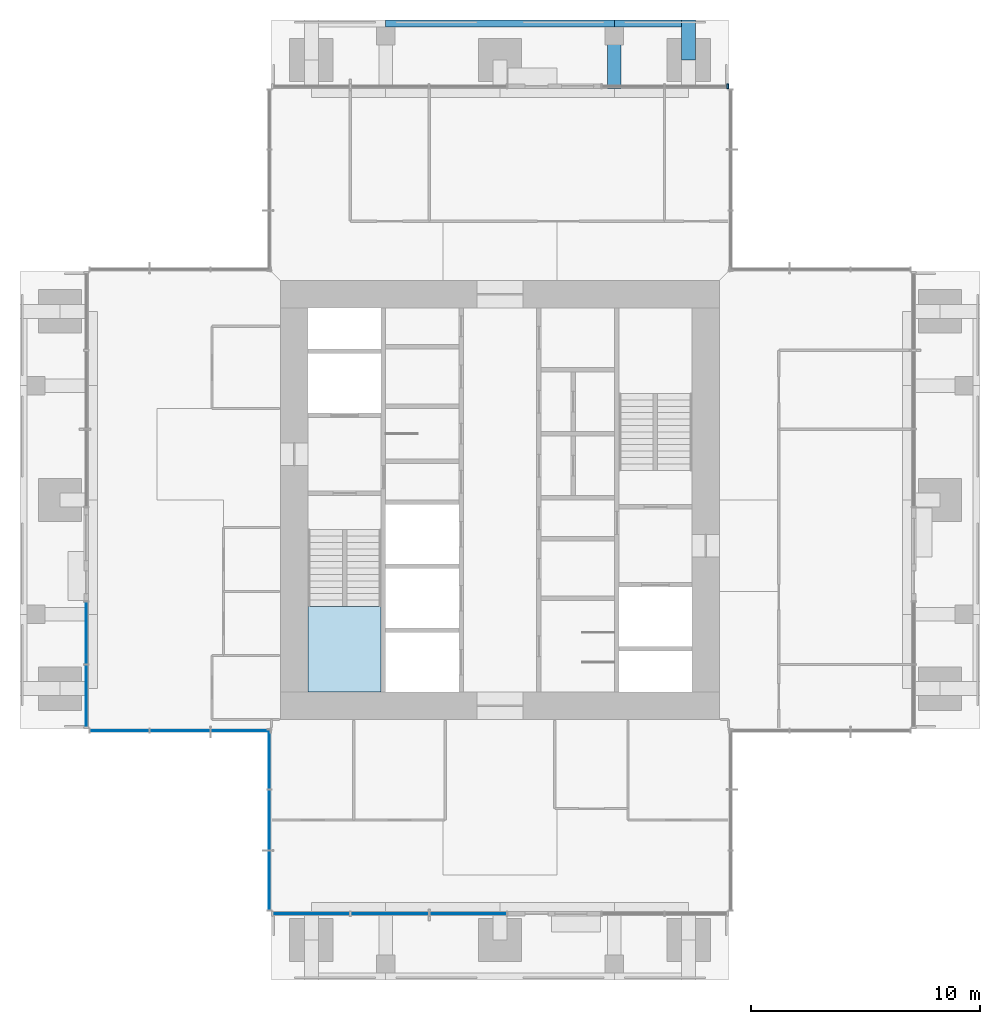
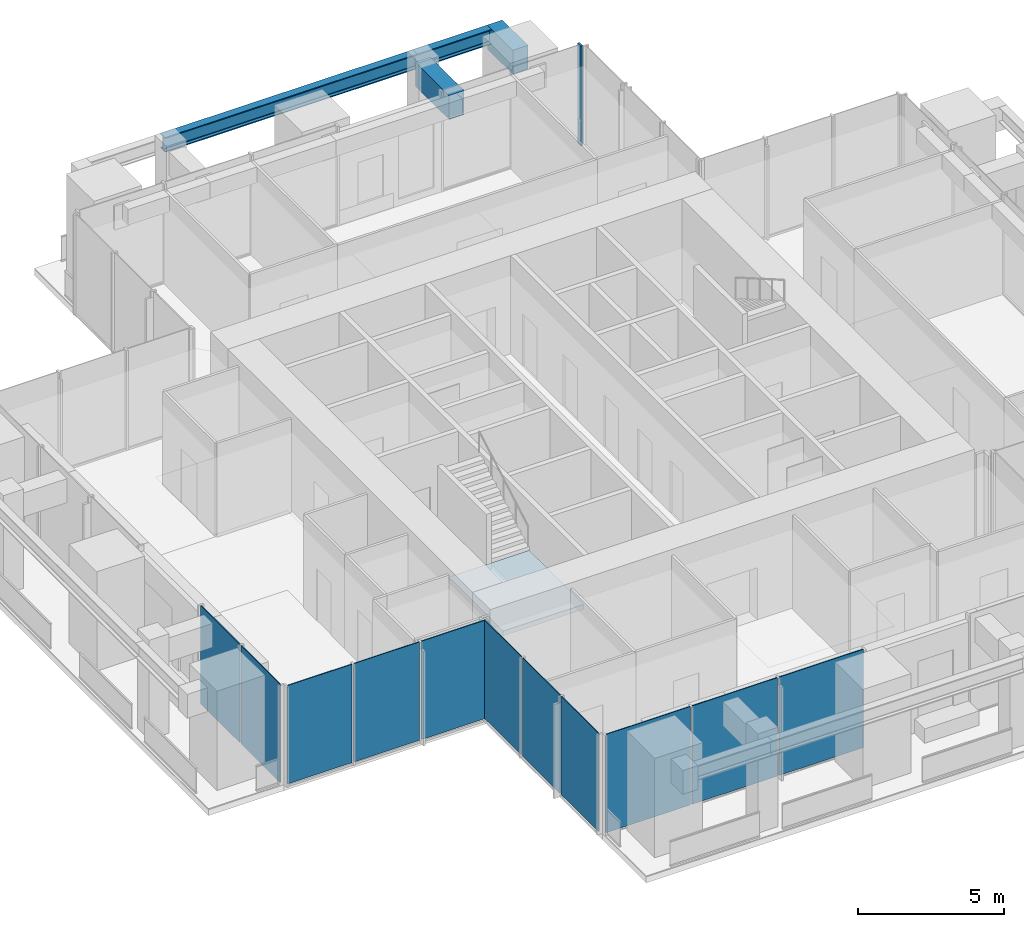
# One storey, part 5 of 12: 11 plates, 4 beams, 1 member, 1 slab, 6 elements without a shape of their own.
"""IFC4 building model written with IfcOpenShell, lengths in metres."""

import ifcopenshell
import ifcopenshell.guid

model = None  # the IFC model being written
_history = None  # IfcOwnerHistory: only IFC2X3 demands one
_inside = {}  # id of a spatial element -> (the spatial element, [elements in it])
_under = {}  # id of a project, library or spatial element -> (it, [spatial elements below it])
_declared = {}  # id of a project -> (the project, [libraries it declares])
_typed = {}  # id of a type object -> (the type object, [elements of that type])
_made_of = {}  # id of a material, layer set ... -> (it, [elements and type objects made of it])


def new_model(schema):
    """Start an empty IFC model of exactly this schema.

    Asked for "IFC4X3", IfcOpenShell would pick the latest addendum, in which some entities
    have other attributes; the version numbers below select the first issue.
    IFC2X3 requires an IfcOwnerHistory on every rooted entity: one is made here for all.
    """
    global model, _history
    if schema == "IFC4X3":
        model = ifcopenshell.file(schema_version=(4, 3, 0, 0))
    else:
        model = ifcopenshell.file(schema=schema)
    _inside.clear()
    _under.clear()
    _declared.clear()
    _typed.clear()
    _made_of.clear()
    _history = None
    if model.schema == "IFC2X3":
        org = make("IfcOrganization", Name="unknown")
        user = make(
            "IfcPersonAndOrganization",
            ThePerson=make("IfcPerson", FamilyName="unknown"),
            TheOrganization=org,
        )
        app = make(
            "IfcApplication",
            ApplicationDeveloper=org,
            Version="unknown",
            ApplicationFullName="unknown",
            ApplicationIdentifier="unknown",
        )
        _history = make(
            "IfcOwnerHistory",
            OwningUser=user,
            OwningApplication=app,
            ChangeAction="ADDED",
            CreationDate=0,
        )
    return model


def make(cls, **values):
    """One entity of the class cls with the attributes given. An attribute that is None is left unset."""
    return model.create_entity(
        cls, **{name: value for name, value in values.items() if value is not None}
    )


def rooted(cls, **values):
    """An entity with a GlobalId (a new one), such as an element, a storey or a relation."""
    return make(cls, GlobalId=ifcopenshell.guid.new(), OwnerHistory=_history, **values)


def si_unit(unit_type, name, prefix=None):
    """IfcSIUnit, for example si_unit("LENGTHUNIT", "METRE", prefix="MILLI")."""
    return make("IfcSIUnit", UnitType=unit_type, Prefix=prefix, Name=name)


def assignment(units):
    """IfcUnitAssignment: the units of a project."""
    return None if units is None else make("IfcUnitAssignment", Units=units)


def point(xyz):
    """IfcCartesianPoint."""
    return None if xyz is None else make("IfcCartesianPoint", Coordinates=xyz)


def direction(xyz):
    """IfcDirection."""
    return None if xyz is None else make("IfcDirection", DirectionRatios=xyz)


def frame(location, z_axis=None, x_axis=None):
    """IfcAxis2Placement3D, a coordinate frame: its origin and axes. An axis left out is left unset."""
    return make(
        "IfcAxis2Placement3D",
        Location=point(location),
        Axis=direction(z_axis),
        RefDirection=direction(x_axis),
    )


def frame_2d(location, x_axis=None):
    """IfcAxis2Placement2D, a coordinate frame in the plane: its origin and x axis."""
    return make(
        "IfcAxis2Placement2D", Location=point(location), RefDirection=direction(x_axis)
    )


def origin():
    """The frame at (0, 0, 0) with its axes left unset."""
    return frame((0.0, 0.0, 0.0))


def origin_2d():
    """The frame at (0, 0) in the plane with its x axis left unset."""
    return frame_2d((0.0, 0.0))


def place(relative_to, where):
    """IfcLocalPlacement: puts the frame where relative to a parent placement (None: the world)."""
    return make(
        "IfcLocalPlacement", PlacementRelTo=relative_to, RelativePlacement=where
    )


def context(
    kind, dimensions, precision=None, world=None, true_north=None, identifier=None
):
    """IfcGeometricRepresentationContext, for example the 3D "Model" context."""
    return make(
        "IfcGeometricRepresentationContext",
        ContextIdentifier=identifier,
        ContextType=kind,
        CoordinateSpaceDimension=dimensions,
        Precision=precision,
        WorldCoordinateSystem=world,
        TrueNorth=true_north,
    )


def subcontext(parent, identifier, kind, view, scale=None):
    """IfcGeometricRepresentationSubContext, for example "Body" below "Model"."""
    return make(
        "IfcGeometricRepresentationSubContext",
        ContextIdentifier=identifier,
        ContextType=kind,
        ParentContext=parent,
        TargetScale=scale,
        TargetView=view,
    )


def project(units=None, contexts=None):
    """IfcProject with its units and contexts."""
    return rooted(
        "IfcProject",
        Name="project",
        RepresentationContexts=contexts,
        UnitsInContext=assignment(units),
    )


def spatial(cls, under=None, at=None, **own):
    """A site, building, storey or space (cls), placed at a placement, below another one or the project."""
    s = rooted(cls, ObjectPlacement=at, **own)
    if under is not None:
        _under.setdefault(under.id(), (under, []))[1].append(s)
    return s


def polyline(points):
    """IfcPolyline through the points."""
    return make("IfcPolyline", Points=[point(p) for p in points])


def profile(cls, at=None, kind="AREA", **sizes):
    """A parametric profile (cls). Its sizes go by their IFC names, for example OverallWidth=200.0."""
    return make(cls, ProfileType=kind, Position=at, **sizes)


def rectangle(**sizes):
    """IfcRectangleProfileDef."""
    return profile("IfcRectangleProfileDef", **sizes)


def i_section(**sizes):
    """IfcIShapeProfileDef."""
    return profile("IfcIShapeProfileDef", **sizes)


def outline(outer, holes=None, kind="AREA"):
    """IfcArbitraryClosedProfileDef: a profile drawn as a closed curve; with holes, ...WithVoids."""
    if holes is None:
        return make("IfcArbitraryClosedProfileDef", ProfileType=kind, OuterCurve=outer)
    return make(
        "IfcArbitraryProfileDefWithVoids",
        ProfileType=kind,
        OuterCurve=outer,
        InnerCurves=holes,
    )


def extrude(swept, where, along, depth):
    """IfcExtrudedAreaSolid: the profile swept, set in the frame where, extruded along a direction by depth."""
    return make(
        "IfcExtrudedAreaSolid",
        SweptArea=swept,
        Position=where,
        ExtrudedDirection=direction(along),
        Depth=depth,
    )


def shape(context_of_items, identifier, shape_type, items):
    """IfcShapeRepresentation: the items that make up one representation, for example the "Body"."""
    return make(
        "IfcShapeRepresentation",
        ContextOfItems=context_of_items,
        RepresentationIdentifier=identifier,
        RepresentationType=shape_type,
        Items=items,
    )


def material(Name=None, Category=None):
    """IfcMaterial."""
    return make("IfcMaterial", Name=Name, Category=Category)


def layer(
    of_material, thickness, ventilated=None, Name=None, Category=None, Priority=None
):
    """IfcMaterialLayer: one layer of a wall or slab, of a material (None: an air gap)."""
    return make(
        "IfcMaterialLayer",
        Material=of_material,
        LayerThickness=thickness,
        IsVentilated=ventilated,
        Name=Name,
        Category=Category,
        Priority=Priority,
    )


def layer_set(layers, Name=None):
    """IfcMaterialLayerSet."""
    return make("IfcMaterialLayerSet", MaterialLayers=layers, LayerSetName=Name)


def material_profile(
    of_material, cross_section, Name=None, Category=None, Priority=None
):
    """IfcMaterialProfile: a cross section and its material."""
    return make(
        "IfcMaterialProfile",
        Name=Name,
        Material=of_material,
        Profile=cross_section,
        Priority=Priority,
        Category=Category,
    )


def profile_set(profiles, Name=None, composite=None):
    """IfcMaterialProfileSet."""
    return make(
        "IfcMaterialProfileSet",
        Name=Name,
        MaterialProfiles=profiles,
        CompositeProfile=composite,
    )


def made_of(thing, what):
    """Note that an element or type object is made of a material, layer set ...; save() writes the relation."""
    if what is not None:
        _made_of.setdefault(what.id(), (what, []))[1].append(thing)
    return thing


def type_object(cls, material=None, **own):
    """A type object (cls), such as IfcWallType, which elements share."""
    return made_of(rooted(cls, **own), material)


def element(
    cls,
    number,
    at=None,
    inside=None,
    cuts=None,
    type_object=None,
    material=None,
    context=None,
    identifier="Body",
    shape_type=None,
    held_by="IfcProductDefinitionShape",
    body=None,
    shapes=None,
    **own,
):
    """One element of the class cls, such as IfcWall. Its Tag is "e" and its number.

    at: its placement. inside: the storey or other place that contains it. cuts: it is an
    opening in that element (IfcRelVoidsElement). A single representation is given by context,
    identifier, shape_type and body (its items); several are given by shapes. held_by: the class
    of the entity that holds the representations. save() writes the other relations.
    """
    e = rooted(cls, Tag="e%d" % number, ObjectPlacement=at, **own)
    if body is not None:
        shapes = [shape(context, identifier, shape_type, body)]
    if shapes is not None:
        e.Representation = make(held_by, Representations=shapes)
    if inside is not None:
        _inside.setdefault(inside.id(), (inside, []))[1].append(e)
    if cuts is not None:
        rooted(
            "IfcRelVoidsElement", RelatingBuildingElement=cuts, RelatedOpeningElement=e
        )
    if type_object is not None:
        _typed.setdefault(type_object.id(), (type_object, []))[1].append(e)
    return made_of(e, material)


def aggregate(whole, parts):
    """IfcRelAggregates: a whole, such as a stair, and the parts it consists of."""
    return rooted("IfcRelAggregates", RelatingObject=whole, RelatedObjects=parts)


def save(model, path):
    """Write the relations noted so far, then the file.

    IfcRelAggregates (storeys below a building ...), IfcRelContainedInSpatialStructure (elements
    in a storey), IfcRelDefinesByType, IfcRelAssociatesMaterial and IfcRelDeclares: one each for
    every whole, place, type object, material and project.
    """
    for whole, parts in _under.values():
        aggregate(whole, parts)
    for where, things in _inside.values():
        rooted(
            "IfcRelContainedInSpatialStructure",
            RelatedElements=things,
            RelatingStructure=where,
        )
    for kind, things in _typed.values():
        rooted("IfcRelDefinesByType", RelatedObjects=things, RelatingType=kind)
    for what, things in _made_of.values():
        rooted("IfcRelAssociatesMaterial", RelatedObjects=things, RelatingMaterial=what)
    for by, libraries in _declared.values():
        rooted("IfcRelDeclares", RelatingContext=by, RelatedDefinitions=libraries)
    model.write(path)


model = new_model("IFC4")

# Units and contexts
model_context = context("Model", 3, precision=1e-05, world=origin(), true_north=direction((0.0, 1.0)))
body_context = subcontext(model_context, "Body", "Model", "MODEL_VIEW")
ifc_project = project(units=[si_unit("LENGTHUNIT", "METRE"), si_unit("AREAUNIT", "SQUARE_METRE"), si_unit("VOLUMEUNIT", "CUBIC_METRE"), si_unit("PLANEANGLEUNIT", "RADIAN"), si_unit("MASSUNIT", "GRAM", prefix="KILO")], contexts=[model_context])

# Site, building, storey
site_placement = place(None, origin())
site = spatial("IfcSite", under=ifc_project, at=site_placement, CompositionType="ELEMENT")
building_placement = place(site_placement, origin())
building = spatial("IfcBuilding", under=site, at=building_placement, Name="Svetlomir Tower", CompositionType="ELEMENT")
storey_placement = place(building_placement, frame((0.0, 0.0, 252.39990234375)))
storey = spatial("IfcBuildingStorey", under=building, at=storey_placement, Name="L60", CompositionType="ELEMENT", Elevation=252.39990234375)

# Curtain wall, member
ifc_material_1 = material(Name="Bronze anodised aluminium curtain wall", Category="aluminium")
curtain_wall_type = type_object("IfcCurtainWallType", Name="CURTAIN WALL CW4 EXECUTIVE", PredefinedType="NOTDEFINED", material=ifc_material_1)
curtain_wall_1_placement = place(storey_placement, origin())
curtain_wall_1 = element("IfcCurtainWall", 1, at=curtain_wall_1_placement, inside=storey, type_object=curtain_wall_type, Name="Curtain wall CW4 L60", PredefinedType="NOTDEFINED")
ifc_material_2 = material(Name="Bronze anodised aluminium", Category="aluminium")
ifc_material_profile_1 = material_profile(ifc_material_2, rectangle(XDim=0.074951171875, YDim=0.219970703125, at=origin_2d()), Name="AL 75x220")
ifc_profile_set_1 = profile_set([ifc_material_profile_1], Name="Bronze anodised aluminium 6063-T6")
member_type = type_object("IfcMemberType", Name="CW4 MULLION 75x220", PredefinedType="MULLION", material=ifc_profile_set_1)
member_placement = place(storey_placement, frame((30.96240234375, 39.10009765625, 0.0), z_axis=(0.0, 0.0, 1.0), x_axis=(-1.0, 0.0, 0.0)))
member = element("IfcMember", 2, at=member_placement, type_object=member_type, Name="CW4 mullion 1", PredefinedType="MULLION", context=body_context, shape_type="SweptSolid", body=[
    extrude(rectangle(XDim=0.074951171875, YDim=0.219970703125, at=origin_2d()), origin(), (0.0, 0.0, 1.0), 4.2001953125),
])
aggregate(curtain_wall_1, [member])

# Beams
ifc_material_3 = material(Name="Steel S355", Category="steel")
ifc_material_profile_2 = material_profile(ifc_material_3, i_section(OverallWidth=0.304931640625, OverallDepth=0.6201171875, WebThickness=0.02099609375, FlangeThickness=0.0400390625, FilletRadius=0.027099609375, at=origin_2d()), Name="HEM 600")
ifc_profile_set_2 = profile_set([ifc_material_profile_2], Name="Steel S355")
beam_type_1 = type_object("IfcBeamType", Name="EDGE BEAM HEM 600", PredefinedType="SPANDREL", material=ifc_profile_set_2)
beam_1_placement = place(storey_placement, frame((16.0, 41.847412109375, 3.64013671875), z_axis=(1.0, 0.0, 0.0), x_axis=(0.0, 1.0, 0.0)))
element("IfcBeam", 3, at=beam_1_placement, inside=storey, type_object=beam_type_1, Name="Edge beam 16/42 to 26/42 under L61", PredefinedType="SPANDREL", context=body_context, shape_type="SweptSolid", body=[
    extrude(i_section(OverallWidth=0.304931640625, OverallDepth=0.6201171875, WebThickness=0.02099609375, FlangeThickness=0.0400390625, FilletRadius=0.027099609375, at=origin_2d()), origin(), (0.0, 0.0, 1.0), 10.0),
])
beam_2_placement = place(storey_placement, frame((26.0, 41.847412109375, 3.64013671875), z_axis=(1.0, 0.0, 0.0), x_axis=(0.0, 1.0, 0.0)))
element("IfcBeam", 4, at=beam_2_placement, inside=storey, type_object=beam_type_1, Name="Edge beam 26/42 to 31/42 under L61", PredefinedType="SPANDREL", context=body_context, shape_type="SweptSolid", body=[
    extrude(i_section(OverallWidth=0.304931640625, OverallDepth=0.6201171875, WebThickness=0.02099609375, FlangeThickness=0.0400390625, FilletRadius=0.027099609375, at=origin_2d()), origin(), (0.0, 0.0, 1.0), 2.949951171875),
])
ifc_material_4 = material(Name="Concrete C60/75", Category="concrete")
ifc_material_profile_3 = material_profile(ifc_material_4, rectangle(XDim=0.60009765625, YDim=1.0, at=origin_2d()), Name="RC 600x1000")
ifc_profile_set_3 = profile_set([ifc_material_profile_3], Name="Concrete C60/75")
beam_type_2 = type_object("IfcBeamType", Name="EDGE LINK BEAM RC 600x1000", PredefinedType="BEAM", material=ifc_profile_set_3)
beam_3_placement = place(storey_placement, frame((29.25, 40.25, 3.4501953125), z_axis=(0.0, 1.0, 0.0), x_axis=(-1.0, 0.0, 0.0)))
element("IfcBeam", 5, at=beam_3_placement, inside=storey, type_object=beam_type_2, Name="Edge link beam N 31/42 under L61", PredefinedType="BEAM", context=body_context, shape_type="SweptSolid", body=[
    extrude(rectangle(XDim=0.60009765625, YDim=1.0, at=origin_2d()), origin(), (0.0, 0.0, 1.0), 1.75),
])
ifc_material_5 = material(Name="Concrete C60/75", Category="concrete")
ifc_material_profile_4 = material_profile(ifc_material_5, rectangle(XDim=0.60009765625, YDim=1.0, at=origin_2d()), Name="RC 600x1000")
ifc_profile_set_4 = profile_set([ifc_material_profile_4], Name="Concrete C60/75")
beam_type_3 = type_object("IfcBeamType", Name="LOGGIA LINK BEAM RC 600x1000", PredefinedType="BEAM", material=ifc_profile_set_4)
beam_4_placement = place(storey_placement, frame((26.0, 41.300048828125, 3.4501953125), z_axis=(0.0, -1.0, 0.0), x_axis=(1.0, 0.0, 0.0)))
element("IfcBeam", 6, at=beam_4_placement, inside=storey, type_object=beam_type_3, Name="Loggia link beam N 26 under L61", PredefinedType="BEAM", context=body_context, shape_type="SweptSolid", body=[
    extrude(rectangle(XDim=0.60009765625, YDim=1.0, at=origin_2d()), origin(), (0.0, 0.0, 1.0), 2.300048828125),
])

# Curtain wall, plates
curtain_wall_2_placement = place(storey_placement, origin())
curtain_wall_2 = element("IfcCurtainWall", 7, at=curtain_wall_2_placement, inside=storey, type_object=curtain_wall_type, Name="Curtain wall CW4 L60", PredefinedType="NOTDEFINED")
ifc_material_6 = material(Name="Tinted double glazed unit", Category="glass")
ifc_layer_1 = layer(ifc_material_6, 0.035888671875)
ifc_layer_set_1 = layer_set([ifc_layer_1], Name="Tinted double glazed unit")
plate_type = type_object("IfcPlateType", Name="CW4 GLAZED PANEL 36", PredefinedType="CURTAIN_PANEL", material=ifc_layer_set_1)
plate_1_placement = place(storey_placement, frame((12.74365234375, 2.89990234375, 0.0751953125), z_axis=(0.0, 0.0, 1.0), x_axis=(1.0, 0.0, 0.0)))
plate_1 = element("IfcPlate", 8, at=plate_1_placement, type_object=plate_type, Name="CW4 panel 1.1", PredefinedType="CURTAIN_PANEL", context=body_context, shape_type="SweptSolid", body=[
    extrude(rectangle(XDim=3.33740234375, YDim=0.035888671875, at=origin_2d()), origin(), (0.0, 0.0, 1.0), 4.125),
])
plate_2_placement = place(storey_placement, frame((16.175048828125, 2.89990234375, 0.0751953125), z_axis=(0.0, 0.0, 1.0), x_axis=(1.0, 0.0, 0.0)))
plate_2 = element("IfcPlate", 9, at=plate_2_placement, type_object=plate_type, Name="CW4 panel 2.1", PredefinedType="CURTAIN_PANEL", context=body_context, shape_type="SweptSolid", body=[
    extrude(rectangle(XDim=3.375, YDim=0.035888671875, at=origin_2d()), origin(), (0.0, 0.0, 1.0), 4.125),
])
plate_3_placement = place(storey_placement, frame((19.606201171875, 2.89990234375, 0.0751953125), z_axis=(0.0, 0.0, 1.0), x_axis=(1.0, 0.0, 0.0)))
plate_3 = element("IfcPlate", 10, at=plate_3_placement, type_object=plate_type, Name="CW4 panel 3.1", PredefinedType="CURTAIN_PANEL", context=body_context, shape_type="SweptSolid", body=[
    extrude(rectangle(XDim=3.33740234375, YDim=0.035888671875, at=origin_2d()), origin(), (0.0, 0.0, 1.0), 4.125),
])
aggregate(curtain_wall_2, [plate_1, plate_2, plate_3])

curtain_wall_3_placement = place(storey_placement, origin())
curtain_wall_3 = element("IfcCurtainWall", 11, at=curtain_wall_3_placement, inside=storey, type_object=curtain_wall_type, Name="Curtain wall CW4 L60", PredefinedType="NOTDEFINED")
plate_4_placement = place(storey_placement, frame((2.89990234375, 15.18115234375, 0.0751953125), z_axis=(0.0, 0.0, 1.0), x_axis=(0.0, -1.0, 0.0)))
plate_4 = element("IfcPlate", 12, at=plate_4_placement, type_object=plate_type, Name="CW4 panel 1.1", PredefinedType="CURTAIN_PANEL", context=body_context, shape_type="SweptSolid", body=[
    extrude(rectangle(XDim=2.6875, YDim=0.035888671875, at=origin_2d()), origin(), (0.0, 0.0, 1.0), 4.125),
])
plate_5_placement = place(storey_placement, frame((2.89990234375, 12.418701171875, 0.0751953125), z_axis=(0.0, 0.0, 1.0), x_axis=(0.0, -1.0, 0.0)))
plate_5 = element("IfcPlate", 13, at=plate_5_placement, type_object=plate_type, Name="CW4 panel 2.1", PredefinedType="CURTAIN_PANEL", context=body_context, shape_type="SweptSolid", body=[
    extrude(rectangle(XDim=2.6875, YDim=0.035888671875, at=origin_2d()), origin(), (0.0, 0.0, 1.0), 4.125),
])
aggregate(curtain_wall_3, [plate_4, plate_5])

curtain_wall_4_placement = place(storey_placement, origin())
curtain_wall_4 = element("IfcCurtainWall", 14, at=curtain_wall_4_placement, inside=storey, type_object=curtain_wall_type, Name="Curtain wall CW4 L60", PredefinedType="NOTDEFINED")
plate_6_placement = place(storey_placement, frame((4.35205078125, 10.89990234375, 0.0751953125), z_axis=(0.0, 0.0, 1.0), x_axis=(1.0, 0.0, 0.0)))
plate_6 = element("IfcPlate", 15, at=plate_6_placement, type_object=plate_type, Name="CW4 panel 1.1", PredefinedType="CURTAIN_PANEL", context=body_context, shape_type="SweptSolid", body=[
    extrude(rectangle(XDim=2.55419921875, YDim=0.035888671875, at=origin_2d()), origin(), (0.0, 0.0, 1.0), 4.125),
])
plate_7_placement = place(storey_placement, frame((7.0, 10.89990234375, 0.0751953125), z_axis=(0.0, 0.0, 1.0), x_axis=(1.0, 0.0, 0.0)))
plate_7 = element("IfcPlate", 16, at=plate_7_placement, type_object=plate_type, Name="CW4 panel 2.1", PredefinedType="CURTAIN_PANEL", context=body_context, shape_type="SweptSolid", body=[
    extrude(rectangle(XDim=2.591552734375, YDim=0.035888671875, at=origin_2d()), origin(), (0.0, 0.0, 1.0), 4.125),
])
plate_8_placement = place(storey_placement, frame((9.64794921875, 10.89990234375, 0.0751953125), z_axis=(0.0, 0.0, 1.0), x_axis=(1.0, 0.0, 0.0)))
plate_8 = element("IfcPlate", 17, at=plate_8_placement, type_object=plate_type, Name="CW4 panel 3.1", PredefinedType="CURTAIN_PANEL", context=body_context, shape_type="SweptSolid", body=[
    extrude(rectangle(XDim=2.55419921875, YDim=0.035888671875, at=origin_2d()), origin(), (0.0, 0.0, 1.0), 4.125),
])
aggregate(curtain_wall_4, [plate_6, plate_7, plate_8])

curtain_wall_5_placement = place(storey_placement, origin())
curtain_wall_5 = element("IfcCurtainWall", 18, at=curtain_wall_5_placement, inside=storey, type_object=curtain_wall_type, Name="Curtain wall CW4 L60", PredefinedType="NOTDEFINED")
plate_9_placement = place(storey_placement, frame((10.89990234375, 9.64794921875, 0.0751953125), z_axis=(0.0, 0.0, 1.0), x_axis=(0.0, -1.0, 0.0)))
plate_9 = element("IfcPlate", 19, at=plate_9_placement, type_object=plate_type, Name="CW4 panel 1.1", PredefinedType="CURTAIN_PANEL", context=body_context, shape_type="SweptSolid", body=[
    extrude(rectangle(XDim=2.55419921875, YDim=0.035888671875, at=origin_2d()), origin(), (0.0, 0.0, 1.0), 4.125),
])
plate_10_placement = place(storey_placement, frame((10.89990234375, 7.0, 0.0751953125), z_axis=(0.0, 0.0, 1.0), x_axis=(0.0, -1.0, 0.0)))
plate_10 = element("IfcPlate", 20, at=plate_10_placement, type_object=plate_type, Name="CW4 panel 2.1", PredefinedType="CURTAIN_PANEL", context=body_context, shape_type="SweptSolid", body=[
    extrude(rectangle(XDim=2.591552734375, YDim=0.035888671875, at=origin_2d()), origin(), (0.0, 0.0, 1.0), 4.125),
])
plate_11_placement = place(storey_placement, frame((10.89990234375, 4.35205078125, 0.0751953125), z_axis=(0.0, 0.0, 1.0), x_axis=(0.0, -1.0, 0.0)))
plate_11 = element("IfcPlate", 21, at=plate_11_placement, type_object=plate_type, Name="CW4 panel 3.1", PredefinedType="CURTAIN_PANEL", context=body_context, shape_type="SweptSolid", body=[
    extrude(rectangle(XDim=2.55419921875, YDim=0.035888671875, at=origin_2d()), origin(), (0.0, 0.0, 1.0), 4.125),
])
aggregate(curtain_wall_5, [plate_9, plate_10, plate_11])

# Stair, slab
ifc_material_7 = material(Name="Concrete C60/75", Category="concrete")
stair_type = type_object("IfcStairType", Name="EXIT STAIR 3200 RISE 4200", PredefinedType="HALF_TURN_STAIR", material=ifc_material_7)
stair_placement = place(storey_placement, origin())
stair = element("IfcStair", 22, at=stair_placement, inside=storey, type_object=stair_type, Name="Stair S1 L60 to L61", PredefinedType="HALF_TURN_STAIR")
ifc_material_8 = material(Name="Concrete C60/75", Category="concrete")
ifc_layer_2 = layer(ifc_material_8, 0.199951171875)
ifc_layer_set_2 = layer_set([ifc_layer_2], Name="Concrete C60/75")
slab_type = type_object("IfcSlabType", Name="STAIR LANDING 200", PredefinedType="LANDING", material=ifc_layer_set_2)
slab_placement = place(storey_placement, frame((0.0, 0.0, 1.900146484375)))
slab = element("IfcSlab", 23, at=slab_placement, type_object=slab_type, Name="S1 landing 1", PredefinedType="LANDING", context=body_context, shape_type="SweptSolid", body=[
    extrude(outline(polyline([(12.60009765625, 12.60009765625), (15.800048828125, 12.60009765625), (15.800048828125, 16.340087890625), (12.60009765625, 16.340087890625), (12.60009765625, 12.60009765625)])), origin(), (0.0, 0.0, 1.0), 0.199951171875),
])
aggregate(stair, [slab])

save(model, "model.ifc")
